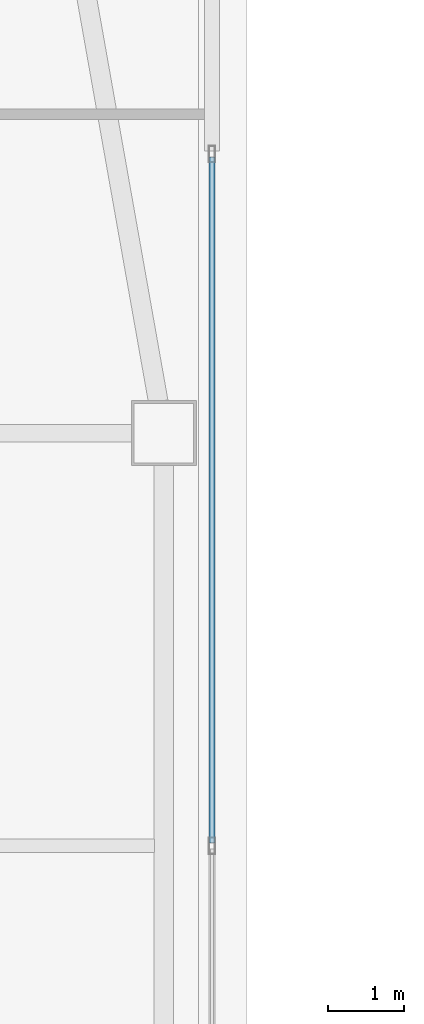
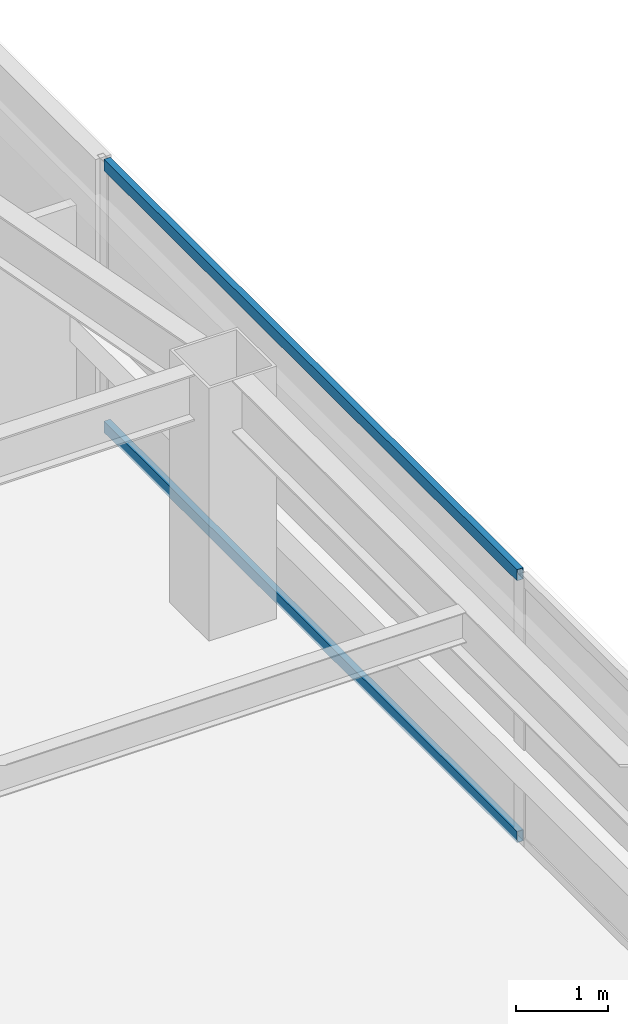
# One storey, part 11 of 48: 2 members, 1 element without a shape of its own.
"""IFC4 building model written with IfcOpenShell, lengths in metres."""

import ifcopenshell
import ifcopenshell.guid

model = None  # the IFC model being written
_history = None  # IfcOwnerHistory: only IFC2X3 demands one
_inside = {}  # id of a spatial element -> (the spatial element, [elements in it])
_under = {}  # id of a project, library or spatial element -> (it, [spatial elements below it])
_declared = {}  # id of a project -> (the project, [libraries it declares])
_typed = {}  # id of a type object -> (the type object, [elements of that type])
_made_of = {}  # id of a material, layer set ... -> (it, [elements and type objects made of it])


def new_model(schema):
    """Start an empty IFC model of exactly this schema.

    Asked for "IFC4X3", IfcOpenShell would pick the latest addendum, in which some entities
    have other attributes; the version numbers below select the first issue.
    IFC2X3 requires an IfcOwnerHistory on every rooted entity: one is made here for all.
    """
    global model, _history
    if schema == "IFC4X3":
        model = ifcopenshell.file(schema_version=(4, 3, 0, 0))
    else:
        model = ifcopenshell.file(schema=schema)
    _inside.clear()
    _under.clear()
    _declared.clear()
    _typed.clear()
    _made_of.clear()
    _history = None
    if model.schema == "IFC2X3":
        org = make("IfcOrganization", Name="unknown")
        user = make(
            "IfcPersonAndOrganization",
            ThePerson=make("IfcPerson", FamilyName="unknown"),
            TheOrganization=org,
        )
        app = make(
            "IfcApplication",
            ApplicationDeveloper=org,
            Version="unknown",
            ApplicationFullName="unknown",
            ApplicationIdentifier="unknown",
        )
        _history = make(
            "IfcOwnerHistory",
            OwningUser=user,
            OwningApplication=app,
            ChangeAction="ADDED",
            CreationDate=0,
        )
    return model


def make(cls, **values):
    """One entity of the class cls with the attributes given. An attribute that is None is left unset."""
    return model.create_entity(
        cls, **{name: value for name, value in values.items() if value is not None}
    )


def rooted(cls, **values):
    """An entity with a GlobalId (a new one), such as an element, a storey or a relation."""
    return make(cls, GlobalId=ifcopenshell.guid.new(), OwnerHistory=_history, **values)


def si_unit(unit_type, name, prefix=None):
    """IfcSIUnit, for example si_unit("LENGTHUNIT", "METRE", prefix="MILLI")."""
    return make("IfcSIUnit", UnitType=unit_type, Prefix=prefix, Name=name)


def assignment(units):
    """IfcUnitAssignment: the units of a project."""
    return None if units is None else make("IfcUnitAssignment", Units=units)


def point(xyz):
    """IfcCartesianPoint."""
    return None if xyz is None else make("IfcCartesianPoint", Coordinates=xyz)


def direction(xyz):
    """IfcDirection."""
    return None if xyz is None else make("IfcDirection", DirectionRatios=xyz)


def frame(location, z_axis=None, x_axis=None):
    """IfcAxis2Placement3D, a coordinate frame: its origin and axes. An axis left out is left unset."""
    return make(
        "IfcAxis2Placement3D",
        Location=point(location),
        Axis=direction(z_axis),
        RefDirection=direction(x_axis),
    )


def frame_2d(location, x_axis=None):
    """IfcAxis2Placement2D, a coordinate frame in the plane: its origin and x axis."""
    return make(
        "IfcAxis2Placement2D", Location=point(location), RefDirection=direction(x_axis)
    )


def origin():
    """The frame at (0, 0, 0) with its axes left unset."""
    return frame((0.0, 0.0, 0.0))


def origin_2d():
    """The frame at (0, 0) in the plane with its x axis left unset."""
    return frame_2d((0.0, 0.0))


def place(relative_to, where):
    """IfcLocalPlacement: puts the frame where relative to a parent placement (None: the world)."""
    return make(
        "IfcLocalPlacement", PlacementRelTo=relative_to, RelativePlacement=where
    )


def context(
    kind, dimensions, precision=None, world=None, true_north=None, identifier=None
):
    """IfcGeometricRepresentationContext, for example the 3D "Model" context."""
    return make(
        "IfcGeometricRepresentationContext",
        ContextIdentifier=identifier,
        ContextType=kind,
        CoordinateSpaceDimension=dimensions,
        Precision=precision,
        WorldCoordinateSystem=world,
        TrueNorth=true_north,
    )


def subcontext(parent, identifier, kind, view, scale=None):
    """IfcGeometricRepresentationSubContext, for example "Body" below "Model"."""
    return make(
        "IfcGeometricRepresentationSubContext",
        ContextIdentifier=identifier,
        ContextType=kind,
        ParentContext=parent,
        TargetScale=scale,
        TargetView=view,
    )


def project(units=None, contexts=None):
    """IfcProject with its units and contexts."""
    return rooted(
        "IfcProject",
        Name="project",
        RepresentationContexts=contexts,
        UnitsInContext=assignment(units),
    )


def spatial(cls, under=None, at=None, **own):
    """A site, building, storey or space (cls), placed at a placement, below another one or the project."""
    s = rooted(cls, ObjectPlacement=at, **own)
    if under is not None:
        _under.setdefault(under.id(), (under, []))[1].append(s)
    return s


def profile(cls, at=None, kind="AREA", **sizes):
    """A parametric profile (cls). Its sizes go by their IFC names, for example OverallWidth=200.0."""
    return make(cls, ProfileType=kind, Position=at, **sizes)


def hollow_rectangle(**sizes):
    """IfcRectangleHollowProfileDef."""
    return profile("IfcRectangleHollowProfileDef", **sizes)


def extrude(swept, where, along, depth):
    """IfcExtrudedAreaSolid: the profile swept, set in the frame where, extruded along a direction by depth."""
    return make(
        "IfcExtrudedAreaSolid",
        SweptArea=swept,
        Position=where,
        ExtrudedDirection=direction(along),
        Depth=depth,
    )


def shape(context_of_items, identifier, shape_type, items):
    """IfcShapeRepresentation: the items that make up one representation, for example the "Body"."""
    return make(
        "IfcShapeRepresentation",
        ContextOfItems=context_of_items,
        RepresentationIdentifier=identifier,
        RepresentationType=shape_type,
        Items=items,
    )


def material(Name=None, Category=None):
    """IfcMaterial."""
    return make("IfcMaterial", Name=Name, Category=Category)


def material_profile(
    of_material, cross_section, Name=None, Category=None, Priority=None
):
    """IfcMaterialProfile: a cross section and its material."""
    return make(
        "IfcMaterialProfile",
        Name=Name,
        Material=of_material,
        Profile=cross_section,
        Priority=Priority,
        Category=Category,
    )


def profile_set(profiles, Name=None, composite=None):
    """IfcMaterialProfileSet."""
    return make(
        "IfcMaterialProfileSet",
        Name=Name,
        MaterialProfiles=profiles,
        CompositeProfile=composite,
    )


def made_of(thing, what):
    """Note that an element or type object is made of a material, layer set ...; save() writes the relation."""
    if what is not None:
        _made_of.setdefault(what.id(), (what, []))[1].append(thing)
    return thing


def type_object(cls, material=None, **own):
    """A type object (cls), such as IfcWallType, which elements share."""
    return made_of(rooted(cls, **own), material)


def element(
    cls,
    number,
    at=None,
    inside=None,
    cuts=None,
    type_object=None,
    material=None,
    context=None,
    identifier="Body",
    shape_type=None,
    held_by="IfcProductDefinitionShape",
    body=None,
    shapes=None,
    **own,
):
    """One element of the class cls, such as IfcWall. Its Tag is "e" and its number.

    at: its placement. inside: the storey or other place that contains it. cuts: it is an
    opening in that element (IfcRelVoidsElement). A single representation is given by context,
    identifier, shape_type and body (its items); several are given by shapes. held_by: the class
    of the entity that holds the representations. save() writes the other relations.
    """
    e = rooted(cls, Tag="e%d" % number, ObjectPlacement=at, **own)
    if body is not None:
        shapes = [shape(context, identifier, shape_type, body)]
    if shapes is not None:
        e.Representation = make(held_by, Representations=shapes)
    if inside is not None:
        _inside.setdefault(inside.id(), (inside, []))[1].append(e)
    if cuts is not None:
        rooted(
            "IfcRelVoidsElement", RelatingBuildingElement=cuts, RelatedOpeningElement=e
        )
    if type_object is not None:
        _typed.setdefault(type_object.id(), (type_object, []))[1].append(e)
    return made_of(e, material)


def aggregate(whole, parts):
    """IfcRelAggregates: a whole, such as a stair, and the parts it consists of."""
    return rooted("IfcRelAggregates", RelatingObject=whole, RelatedObjects=parts)


def save(model, path):
    """Write the relations noted so far, then the file.

    IfcRelAggregates (storeys below a building ...), IfcRelContainedInSpatialStructure (elements
    in a storey), IfcRelDefinesByType, IfcRelAssociatesMaterial and IfcRelDeclares: one each for
    every whole, place, type object, material and project.
    """
    for whole, parts in _under.values():
        aggregate(whole, parts)
    for where, things in _inside.values():
        rooted(
            "IfcRelContainedInSpatialStructure",
            RelatedElements=things,
            RelatingStructure=where,
        )
    for kind, things in _typed.values():
        rooted("IfcRelDefinesByType", RelatedObjects=things, RelatingType=kind)
    for what, things in _made_of.values():
        rooted("IfcRelAssociatesMaterial", RelatedObjects=things, RelatingMaterial=what)
    for by, libraries in _declared.values():
        rooted("IfcRelDeclares", RelatingContext=by, RelatedDefinitions=libraries)
    model.write(path)


model = new_model("IFC4")

# Units and contexts
model_context = context("Model", 3, precision=1e-05, world=origin(), true_north=direction((0.0, 1.0)))
body_context = subcontext(model_context, "Body", "Model", "MODEL_VIEW")
ifc_project = project(units=[si_unit("LENGTHUNIT", "METRE"), si_unit("AREAUNIT", "SQUARE_METRE"), si_unit("VOLUMEUNIT", "CUBIC_METRE"), si_unit("PLANEANGLEUNIT", "RADIAN"), si_unit("MASSUNIT", "GRAM", prefix="KILO")], contexts=[model_context])

# Site, building, storey
site_placement = place(None, origin())
site = spatial("IfcSite", under=ifc_project, at=site_placement, CompositionType="ELEMENT")
building_placement = place(site_placement, origin())
building = spatial("IfcBuilding", under=site, at=building_placement, Name="Tashvorn Skyway Center", CompositionType="ELEMENT")
storey_placement = place(building_placement, frame((0.0, 0.0, 77.85009765625)))
storey = spatial("IfcBuildingStorey", under=building, at=storey_placement, Name="L20", CompositionType="ELEMENT", Elevation=77.85009765625)

# Curtain wall, members
ifc_material = material(Name="Thermally broken bronze-anodized aluminium 6063-T6", Category="aluminium")
curtain_wall_type = type_object("IfcCurtainWallType", Name="CW-CW-Z2", PredefinedType="NOTDEFINED", material=ifc_material)
curtain_wall_placement = place(storey_placement, origin())
curtain_wall = element("IfcCurtainWall", 1, at=curtain_wall_placement, inside=storey, type_object=curtain_wall_type, Name="Tower 1 L20 East Unitised Curtain Wall Glazing Group 2", PredefinedType="NOTDEFINED")
ifc_material_profile = material_profile(ifc_material, hollow_rectangle(XDim=0.080078125, YDim=0.14990234375, WallThickness=0.00439453125, at=origin_2d()), Name="ALU-TRAN-80x150")
ifc_profile_set = profile_set([ifc_material_profile], Name="Thermally broken bronze-anodized aluminium 6063-T6")
member_type = type_object("IfcMemberType", Name="CWT-CW-Z2", PredefinedType="USERDEFINED", material=ifc_profile_set)
member_1_placement = place(storey_placement, frame((62.97998046875, 41.010009765625, 0.039794921875), z_axis=(0.0, -1.0, 0.0), x_axis=(1.0, 0.0, 0.0)))
member_1 = element("IfcMember", 2, at=member_1_placement, type_object=member_type, Name="CW-Z2 transom 1.1", ObjectType="TRANSOM", PredefinedType="USERDEFINED", context=body_context, shape_type="SweptSolid", body=[
    extrude(hollow_rectangle(XDim=0.080078125, YDim=0.14990234375, WallThickness=0.00439453125, at=origin_2d()), origin(), (0.0, 0.0, 1.0), 8.969970703125),
])
member_2_placement = place(storey_placement, frame((62.97998046875, 41.010009765625, 3.510009765625), z_axis=(0.0, -1.0, 0.0), x_axis=(1.0, 0.0, 0.0)))
member_2 = element("IfcMember", 3, at=member_2_placement, type_object=member_type, Name="CW-Z2 transom 1.2", ObjectType="TRANSOM", PredefinedType="USERDEFINED", context=body_context, shape_type="SweptSolid", body=[
    extrude(hollow_rectangle(XDim=0.080078125, YDim=0.14990234375, WallThickness=0.00439453125, at=origin_2d()), origin(), (0.0, 0.0, 1.0), 8.969970703125),
])
aggregate(curtain_wall, [member_1, member_2])

save(model, "model.ifc")
